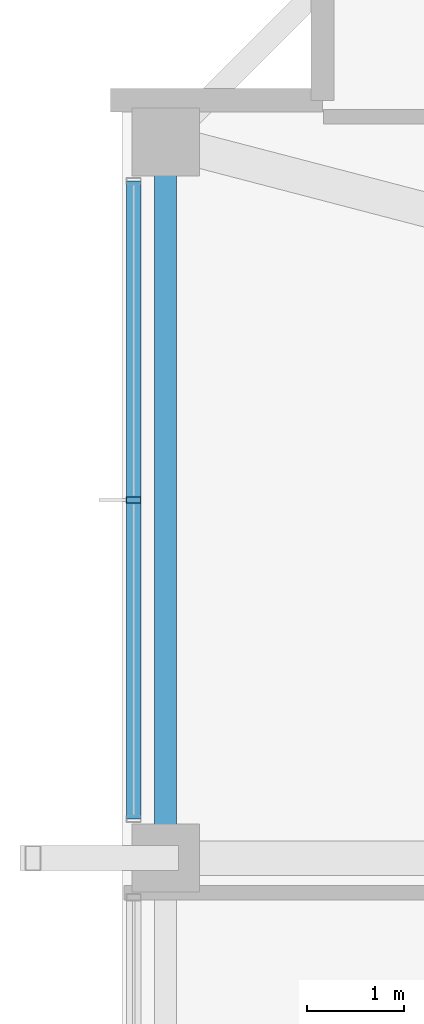
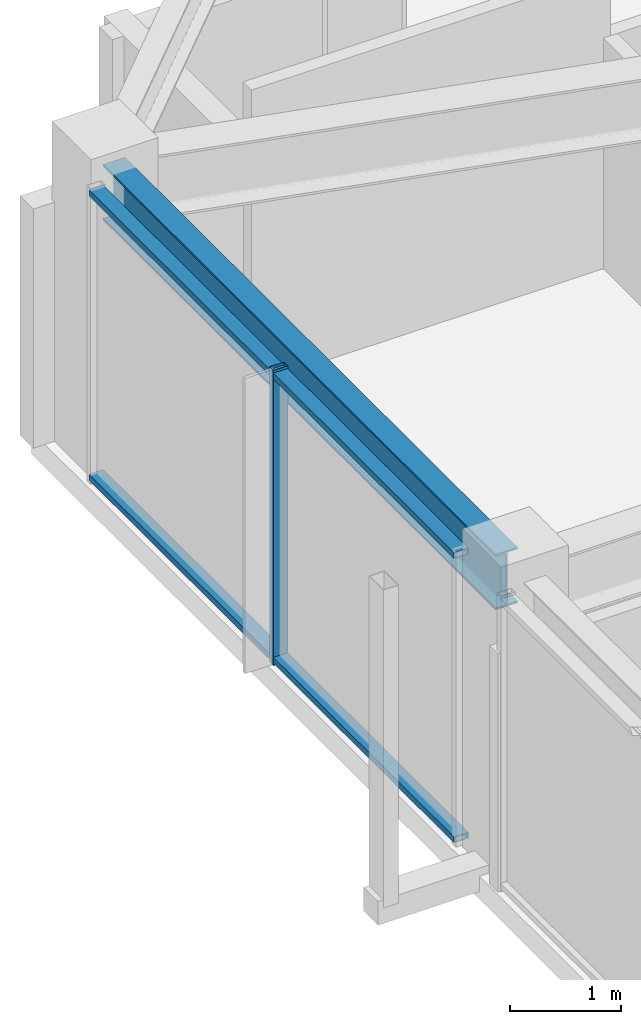
# One storey, part 9 of 31: 3 members, 1 beam, 1 element without a shape of its own.
"""IFC4 building model written with IfcOpenShell, lengths in metres."""

from ifc_helpers import new_model, si_unit, direction, frame, origin, origin_2d, place, context, subcontext, project, spatial, hollow_rectangle, i_section, extrude, material, material_profile, profile_set, type_object, element, aggregate, save


model = new_model("IFC4")

# Units and contexts
model_context = context("Model", 3, precision=1e-05, world=origin(), true_north=direction((0.0, 1.0)))
body_context = subcontext(model_context, "Body", "Model", "MODEL_VIEW")
ifc_project = project(units=[si_unit("LENGTHUNIT", "METRE"), si_unit("AREAUNIT", "SQUARE_METRE"), si_unit("VOLUMEUNIT", "CUBIC_METRE"), si_unit("PLANEANGLEUNIT", "RADIAN"), si_unit("MASSUNIT", "GRAM", prefix="KILO")], contexts=[model_context])

# Site, building, storey
site_placement = place(None, origin())
site = spatial("IfcSite", under=ifc_project, at=site_placement, CompositionType="ELEMENT")
building_placement = place(site_placement, origin())
building = spatial("IfcBuilding", under=site, at=building_placement, Name="Kolvaren Belvedere", CompositionType="ELEMENT")
storey_placement = place(building_placement, frame((0.0, 0.0, 247.89990234375)))
storey = spatial("IfcBuildingStorey", under=building, at=storey_placement, Name="L72", CompositionType="ELEMENT", Elevation=247.89990234375)

# Beam
ifc_material_1 = material(Name="Structural steel ASTM A992 Grade 50", Category="steel")
ifc_material_profile_1 = material_profile(ifc_material_1, i_section(OverallWidth=0.22900390625, OverallDepth=0.612060546875, WebThickness=0.011962890625, FlangeThickness=0.01953125, FilletRadius=0.01806640625, at=origin_2d()), Name="W24X84")
ifc_profile_set_1 = profile_set([ifc_material_profile_1], Name="Structural steel ASTM A992 Grade 50")
beam_type = type_object("IfcBeamType", Name="BM-SPAN-W24X84", PredefinedType="SPANDREL", material=ifc_profile_set_1)
beam_placement = place(storey_placement, frame((-17.949951171875, 11.842529296875, 2.944091796875), z_axis=(0.0, -1.0, 0.0), x_axis=(1.0, 0.0, 0.0)))
element("IfcBeam", 1, at=beam_placement, inside=storey, type_object=beam_type, Name="L72 Perimeter Spandrel W4-W3", PredefinedType="SPANDREL", context=body_context, shape_type="SweptSolid", body=[
    extrude(i_section(OverallWidth=0.22900390625, OverallDepth=0.612060546875, WebThickness=0.011962890625, FlangeThickness=0.01953125, FilletRadius=0.01806640625, at=origin_2d()), origin(), (0.0, 0.0, 1.0), 7.0849609375),
])

# Curtain wall, members
ifc_material_2 = material(Name="Anodised pale-metal aluminium AA 6063-T6", Category="aluminium")
curtain_wall_type = type_object("IfcCurtainWallType", Name="CW-Z5-HIGH", PredefinedType="NOTDEFINED", material=ifc_material_2)
curtain_wall_placement = place(storey_placement, origin())
curtain_wall = element("IfcCurtainWall", 2, at=curtain_wall_placement, inside=storey, type_object=curtain_wall_type, Name="L72 Unitised Curtain Wall FCW-L72-W-B3", PredefinedType="NOTDEFINED")
ifc_material_3 = material(Name="Anodised pale-metal aluminium AA 6063-T6", Category="aluminium")
ifc_material_profile_2 = material_profile(ifc_material_3, hollow_rectangle(XDim=0.070068359375, YDim=0.14990234375, WallThickness=0.004150390625, at=origin_2d()), Name="ALU-MUL-150X70")
ifc_profile_set_2 = profile_set([ifc_material_profile_2], Name="Anodised pale-metal aluminium AA 6063-T6")
member_type_1 = type_object("IfcMemberType", Name="CW-MUL-150", PredefinedType="MULLION", material=ifc_profile_set_2)
member_1_placement = place(storey_placement, frame((-18.280029296875, 8.300048828125, 0.0), z_axis=(0.0, 0.0, 1.0), x_axis=(0.0, 1.0, 0.0)))
member_1 = element("IfcMember", 3, at=member_1_placement, type_object=member_type_1, Name="FCW-L72-W-B3 Unitised Mullion 2", PredefinedType="MULLION", context=body_context, shape_type="SweptSolid", body=[
    extrude(hollow_rectangle(XDim=0.070068359375, YDim=0.14990234375, WallThickness=0.004150390625, at=origin_2d()), origin(), (0.0, 0.0, 1.0), 3.25),
])
ifc_material_4 = material(Name="Anodised pale-metal aluminium AA 6063-T6", Category="aluminium")
ifc_material_profile_3 = material_profile(ifc_material_4, hollow_rectangle(XDim=0.06494140625, YDim=0.14990234375, WallThickness=0.00390625, at=origin_2d()), Name="ALU-TRN-150X65")
ifc_profile_set_3 = profile_set([ifc_material_profile_3], Name="Anodised pale-metal aluminium AA 6063-T6")
member_type_2 = type_object("IfcMemberType", Name="CW-TRN-150", PredefinedType="USERDEFINED", material=ifc_profile_set_3)
member_2_placement = place(storey_placement, frame((-18.280029296875, 5.0048828125, 0.06005859375), z_axis=(0.0, 1.0, 0.0), x_axis=(0.0, 0.0, 1.0)))
member_2 = element("IfcMember", 4, at=member_2_placement, type_object=member_type_2, Name="FCW-L72-W-B3 Sill Transom", ObjectType="TRANSOM", PredefinedType="USERDEFINED", context=body_context, shape_type="SweptSolid", body=[
    extrude(hollow_rectangle(XDim=0.06494140625, YDim=0.14990234375, WallThickness=0.00390625, at=origin_2d()), origin(), (0.0, 0.0, 1.0), 6.590087890625),
])
member_3_placement = place(storey_placement, frame((-18.280029296875, 5.0048828125, 3.190185546875), z_axis=(0.0, 1.0, 0.0), x_axis=(0.0, 0.0, 1.0)))
member_3 = element("IfcMember", 5, at=member_3_placement, type_object=member_type_2, Name="FCW-L72-W-B3 Head Transom", ObjectType="TRANSOM", PredefinedType="USERDEFINED", context=body_context, shape_type="SweptSolid", body=[
    extrude(hollow_rectangle(XDim=0.06494140625, YDim=0.14990234375, WallThickness=0.00390625, at=origin_2d()), origin(), (0.0, 0.0, 1.0), 6.590087890625),
])
aggregate(curtain_wall, [member_1, member_2, member_3])

save(model, "model.ifc")
